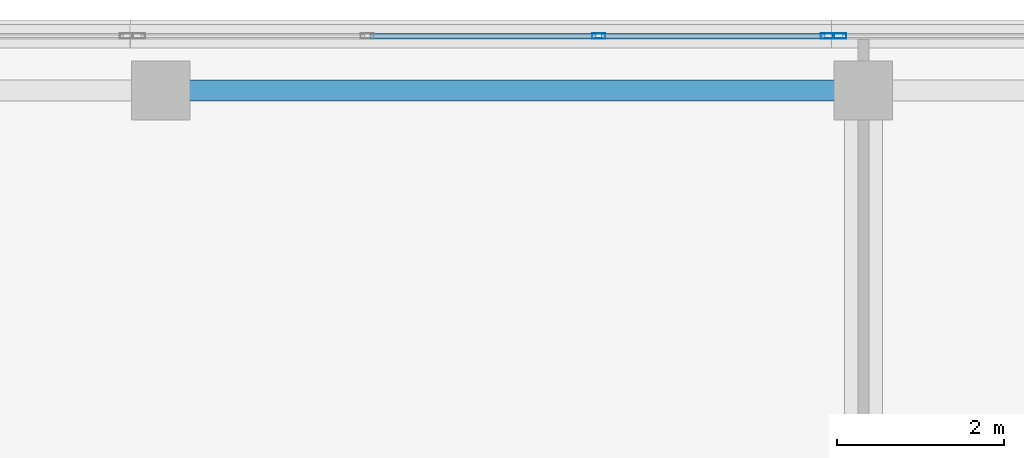
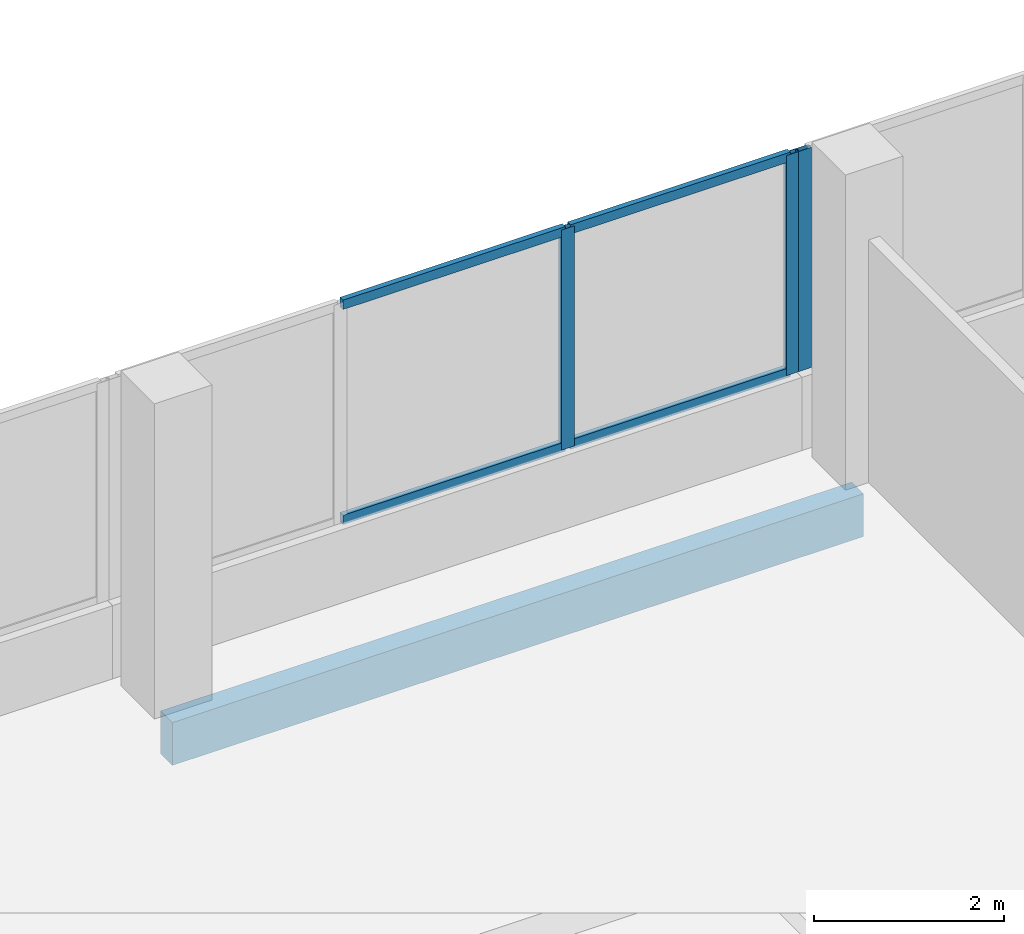
# One storey, part 71 of 101: 7 members, 1 beam, 2 elements without a shape of their own.
"""IFC4 building model written with IfcOpenShell, lengths in metres."""

from ifc_helpers import new_model, si_unit, direction, frame, origin, origin_2d, place, context, subcontext, project, spatial, rectangle, hollow_rectangle, extrude, material, material_profile, profile_set, type_object, element, aggregate, save


model = new_model("IFC4")

# Units and contexts
model_context = context("Model", 3, precision=1e-05, world=origin(), true_north=direction((0.0, 1.0)))
body_context = subcontext(model_context, "Body", "Model", "MODEL_VIEW")
ifc_project = project(units=[si_unit("LENGTHUNIT", "METRE"), si_unit("AREAUNIT", "SQUARE_METRE"), si_unit("VOLUMEUNIT", "CUBIC_METRE"), si_unit("PLANEANGLEUNIT", "RADIAN"), si_unit("MASSUNIT", "GRAM", prefix="KILO")], contexts=[model_context])

# Site, building, storey
site_placement = place(None, origin())
site = spatial("IfcSite", under=ifc_project, at=site_placement, CompositionType="ELEMENT")
building_placement = place(site_placement, origin())
building = spatial("IfcBuilding", under=site, at=building_placement, Name="Selatvlak General Hospital", CompositionType="ELEMENT")
storey_placement = place(building_placement, frame((0.0, 0.0, 19.199951171875)))
storey = spatial("IfcBuildingStorey", under=building, at=storey_placement, Name="L04", CompositionType="ELEMENT", Elevation=19.199951171875)

# Beam
ifc_material_1 = material(Name="Concrete C40/50", Category="concrete")
ifc_material_profile_1 = material_profile(ifc_material_1, rectangle(XDim=0.25, YDim=0.550048828125, at=origin_2d()), Name="RC-SP 250x550")
ifc_profile_set_1 = profile_set([ifc_material_profile_1], Name="Concrete C40/50")
beam_type = type_object("IfcBeamType", Name="BM-SP2", PredefinedType="SPANDREL", material=ifc_profile_set_1)
beam_placement = place(storey_placement, frame((165.60009765625, 119.35009765625, -0.579833984375), z_axis=(1.0, 0.0, 0.0), x_axis=(0.0, 1.0, 0.0)))
element("IfcBeam", 1, at=beam_placement, inside=storey, type_object=beam_type, Name="Beam BMR-L04-1641", PredefinedType="SPANDREL", context=body_context, shape_type="SweptSolid", body=[
    extrude(rectangle(XDim=0.25, YDim=0.550048828125, at=origin_2d()), origin(), (0.0, 0.0, 1.0), 8.39990234375),
])

# Curtain wall, members
ifc_material_2 = material(Name="Solar-control Low-E double glazing", Category="glass")
curtain_wall_type_1 = type_object("IfcCurtainWallType", Name="CW-CW-02", PredefinedType="USERDEFINED", material=ifc_material_2)
curtain_wall_1_placement = place(storey_placement, origin())
curtain_wall_1 = element("IfcCurtainWall", 2, at=curtain_wall_1_placement, inside=storey, type_object=curtain_wall_type_1, Name="Glazed facade curtain wall CW-L04-0498", ObjectType="UNITISED CURTAIN WALL", PredefinedType="USERDEFINED")
ifc_material_3 = material(Name="Dark anodised aluminium mullion", Category="aluminium")
ifc_material_profile_2 = material_profile(ifc_material_3, hollow_rectangle(XDim=0.06494140625, YDim=0.159912109375, WallThickness=0.00390625, at=origin_2d()), Name="AL-MUL 65x160x4")
ifc_profile_set_2 = profile_set([ifc_material_profile_2], Name="Dark anodised aluminium mullion")
member_type_1 = type_object("IfcMemberType", Name="CWM-01", PredefinedType="MULLION", material=ifc_profile_set_2)
member_1_placement = place(storey_placement, frame((170.83740234375, 120.0, 0.93994140625), z_axis=(0.0, 0.0, 1.0), x_axis=(0.0, 1.0, 0.0)))
member_1 = element("IfcMember", 3, at=member_1_placement, type_object=member_type_1, Name="CW-02 mullion 3", PredefinedType="MULLION", context=body_context, shape_type="SweptSolid", body=[
    extrude(hollow_rectangle(XDim=0.06494140625, YDim=0.159912109375, WallThickness=0.00390625, at=origin_2d()), origin(), (0.0, 0.0, 1.0), 2.830078125),
])
member_2_placement = place(storey_placement, frame((173.571533203125, 120.0, 0.93994140625), z_axis=(0.0, 0.0, 1.0), x_axis=(0.0, 1.0, 0.0)))
member_2 = element("IfcMember", 4, at=member_2_placement, type_object=member_type_1, Name="CW-02 mullion 4", PredefinedType="MULLION", context=body_context, shape_type="SweptSolid", body=[
    extrude(hollow_rectangle(XDim=0.06494140625, YDim=0.159912109375, WallThickness=0.00390625, at=origin_2d()), origin(), (0.0, 0.0, 1.0), 2.830078125),
])

# Curtain wall, member
curtain_wall_type_2 = type_object("IfcCurtainWallType", Name="CW-CW-01", PredefinedType="USERDEFINED", material=ifc_material_2)
curtain_wall_2_placement = place(storey_placement, origin())
curtain_wall_2 = element("IfcCurtainWall", 5, at=curtain_wall_2_placement, inside=storey, type_object=curtain_wall_type_2, Name="Glazed facade curtain wall CW-L04-0499", ObjectType="UNITISED CURTAIN WALL", PredefinedType="USERDEFINED")
member_3_placement = place(storey_placement, frame((173.716552734375, 120.0, 0.93994140625), z_axis=(0.0, 0.0, 1.0), x_axis=(0.0, 1.0, 0.0)))
member_3 = element("IfcMember", 6, at=member_3_placement, type_object=member_type_1, Name="CW-01 mullion 1", PredefinedType="MULLION", context=body_context, shape_type="SweptSolid", body=[
    extrude(hollow_rectangle(XDim=0.06494140625, YDim=0.159912109375, WallThickness=0.00390625, at=origin_2d()), origin(), (0.0, 0.0, 1.0), 2.830078125),
])
aggregate(curtain_wall_2, [member_3])

# Member
ifc_material_profile_3 = material_profile(ifc_material_3, hollow_rectangle(XDim=0.06494140625, YDim=0.1201171875, WallThickness=0.00390625, at=origin_2d()), Name="AL-TRN 65x120x4")
ifc_profile_set_3 = profile_set([ifc_material_profile_3], Name="Dark anodised aluminium mullion")
member_type_2 = type_object("IfcMemberType", Name="CWT-01", PredefinedType="USERDEFINED", material=ifc_profile_set_3)
member_4_placement = place(storey_placement, frame((168.103271484375, 120.0, 0.97265625), z_axis=(1.0, 0.0, 0.0), x_axis=(0.0, 1.0, 0.0)))
member_4 = element("IfcMember", 7, at=member_4_placement, type_object=member_type_2, Name="CW-02 transom 2.1", ObjectType="TRANSOM", PredefinedType="USERDEFINED", context=body_context, shape_type="SweptSolid", body=[
    extrude(hollow_rectangle(XDim=0.06494140625, YDim=0.1201171875, WallThickness=0.00390625, at=origin_2d()), origin(), (0.0, 0.0, 1.0), 2.70166015625),
])

member_5_placement = place(storey_placement, frame((168.103271484375, 120.0, 3.737548828125), z_axis=(1.0, 0.0, 0.0), x_axis=(0.0, 1.0, 0.0)))
member_5 = element("IfcMember", 8, at=member_5_placement, type_object=member_type_2, Name="CW-02 transom 2.2", ObjectType="TRANSOM", PredefinedType="USERDEFINED", context=body_context, shape_type="SweptSolid", body=[
    extrude(hollow_rectangle(XDim=0.06494140625, YDim=0.1201171875, WallThickness=0.00390625, at=origin_2d()), origin(), (0.0, 0.0, 1.0), 2.70166015625),
])

member_6_placement = place(storey_placement, frame((170.869873046875, 120.0, 0.97265625), z_axis=(1.0, 0.0, 0.0), x_axis=(0.0, 1.0, 0.0)))
member_6 = element("IfcMember", 9, at=member_6_placement, type_object=member_type_2, Name="CW-02 transom 3.1", ObjectType="TRANSOM", PredefinedType="USERDEFINED", context=body_context, shape_type="SweptSolid", body=[
    extrude(hollow_rectangle(XDim=0.06494140625, YDim=0.1201171875, WallThickness=0.00390625, at=origin_2d()), origin(), (0.0, 0.0, 1.0), 2.669189453125),
])

member_7_placement = place(storey_placement, frame((170.869873046875, 120.0, 3.737548828125), z_axis=(1.0, 0.0, 0.0), x_axis=(0.0, 1.0, 0.0)))
member_7 = element("IfcMember", 10, at=member_7_placement, type_object=member_type_2, Name="CW-02 transom 3.2", ObjectType="TRANSOM", PredefinedType="USERDEFINED", context=body_context, shape_type="SweptSolid", body=[
    extrude(hollow_rectangle(XDim=0.06494140625, YDim=0.1201171875, WallThickness=0.00390625, at=origin_2d()), origin(), (0.0, 0.0, 1.0), 2.669189453125),
])

aggregate(curtain_wall_1, [member_1, member_2, member_4, member_5, member_6, member_7])

save(model, "model.ifc")
